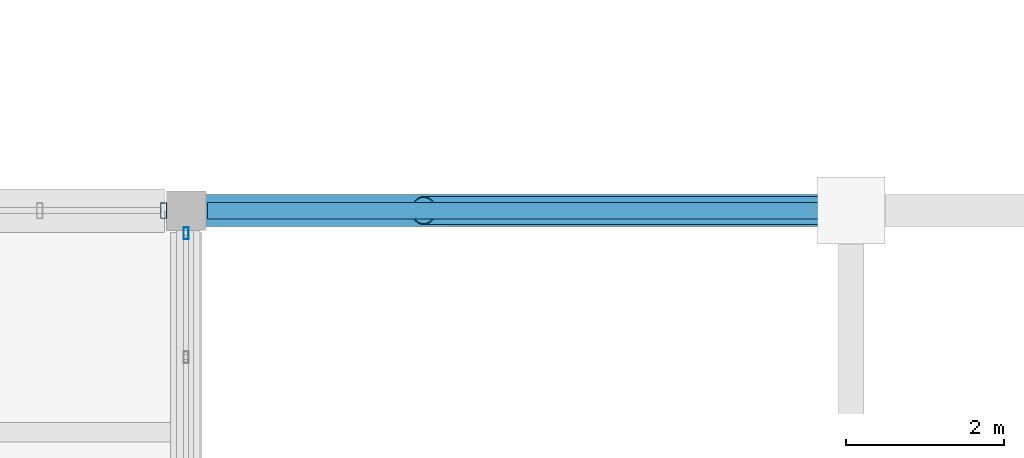
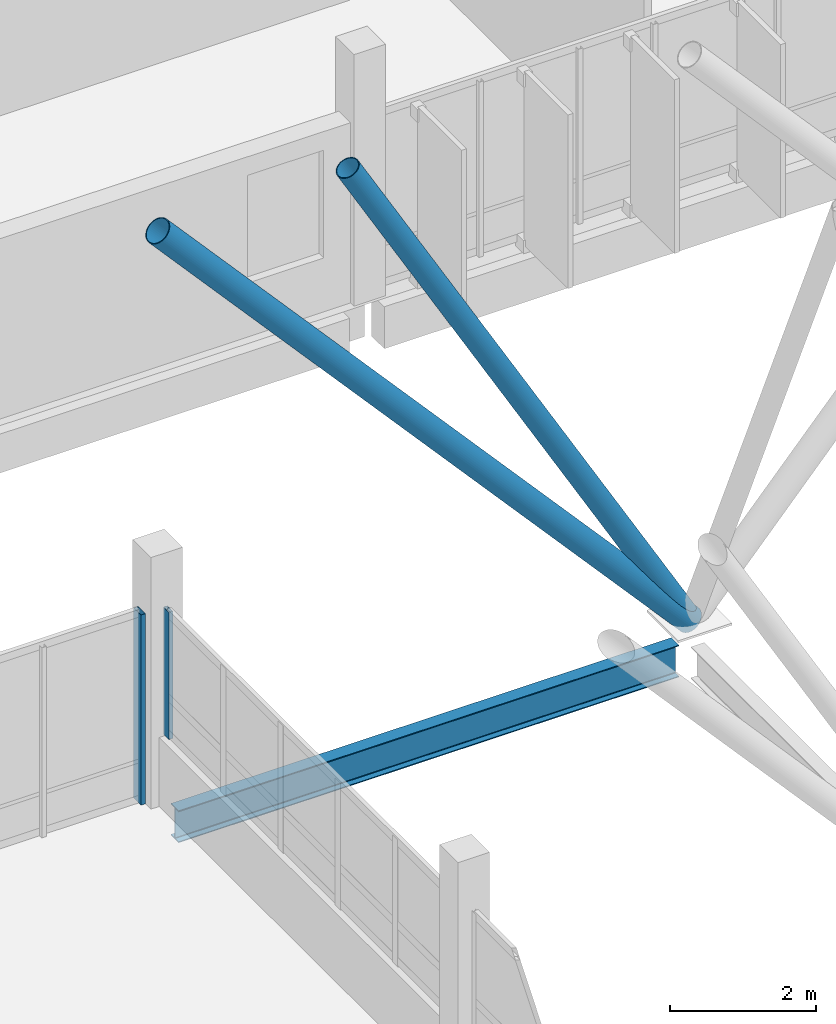
# One storey, part 44 of 107: 4 members, 1 beam, 2 elements without a shape of their own.
"""IFC4 building model written with IfcOpenShell, lengths in metres."""

from ifc_helpers import new_model, si_unit, direction, frame, origin, origin_2d, place, context, subcontext, project, spatial, hollow_rectangle, hollow_circle, i_section, extrude, material, layer, layer_set, material_profile, profile_set, type_object, element, aggregate, save


model = new_model("IFC4")

# Units and contexts
model_context = context("Model", 3, precision=1e-05, world=origin(), true_north=direction((0.0, 1.0)))
body_context = subcontext(model_context, "Body", "Model", "MODEL_VIEW")
ifc_project = project(units=[si_unit("LENGTHUNIT", "METRE"), si_unit("AREAUNIT", "SQUARE_METRE"), si_unit("VOLUMEUNIT", "CUBIC_METRE"), si_unit("PLANEANGLEUNIT", "RADIAN"), si_unit("MASSUNIT", "GRAM", prefix="KILO")], contexts=[model_context])

# Site, building, storey
site_placement = place(None, origin())
site = spatial("IfcSite", under=ifc_project, at=site_placement, CompositionType="ELEMENT")
building_placement = place(site_placement, origin())
building = spatial("IfcBuilding", under=site, at=building_placement, Name="Vireocrest Preparatory School", CompositionType="ELEMENT")
storey_placement = place(building_placement, frame((0.0, 0.0, 13.199951171875)))
storey = spatial("IfcBuildingStorey", under=building, at=storey_placement, Name="L03", CompositionType="ELEMENT", Elevation=13.199951171875)

# Curtain wall, member
ifc_material_1 = material(Name="Thermally broken aluminium EN AW-6063-T6", Category="aluminium")
ifc_layer_1 = layer(ifc_material_1, 0.179931640625)
ifc_layer_set_1 = layer_set([ifc_layer_1], Name="Thermally broken aluminium EN AW-6063-T6")
curtain_wall_type_1 = type_object("IfcCurtainWallType", Name="Court Banded Curtain Wall 8400x3000", PredefinedType="USERDEFINED", material=ifc_layer_set_1)
curtain_wall_1_placement = place(storey_placement, origin())
curtain_wall_1 = element("IfcCurtainWall", 1, at=curtain_wall_1_placement, inside=storey, type_object=curtain_wall_type_1, Name="Curtain Wall CW02 CW_L03_CW02_0672_0776_144", ObjectType="CURTAIN WALL", PredefinedType="USERDEFINED")
ifc_material_profile_1 = material_profile(ifc_material_1, hollow_rectangle(XDim=0.06494140625, YDim=0.14990234375, WallThickness=0.00390625, at=origin_2d()), Name="ALU 65x150x4")
ifc_profile_set_1 = profile_set([ifc_material_profile_1], Name="Thermally broken aluminium EN AW-6063-T6")
member_type_1 = type_object("IfcMemberType", Name="CW Mullion 65x150x4", PredefinedType="MULLION", material=ifc_profile_set_1)
member_1_placement = place(storey_placement, frame((67.199951171875, 85.514892578125, 1.150146484375), z_axis=(0.0, 0.0, 1.0), x_axis=(1.0, 0.0, 0.0)))
member_1 = element("IfcMember", 2, at=member_1_placement, type_object=member_type_1, Name="CW Mullion ML1 CW_L03_CW02_0672_0776_144-6", PredefinedType="MULLION", context=body_context, shape_type="SweptSolid", body=[
    extrude(hollow_rectangle(XDim=0.06494140625, YDim=0.14990234375, WallThickness=0.00390625, at=origin_2d()), origin(), (0.0, 0.0, 1.0), 2.125),
])
aggregate(curtain_wall_1, [member_1])

ifc_layer_2 = layer(ifc_material_1, 0.179931640625)
ifc_layer_set_2 = layer_set([ifc_layer_2], Name="Thermally broken aluminium EN AW-6063-T6")
curtain_wall_type_2 = type_object("IfcCurtainWallType", Name="Library Reading Bay Glazing 7600x4200", PredefinedType="USERDEFINED", material=ifc_layer_set_2)
curtain_wall_2_placement = place(storey_placement, origin())
curtain_wall_2 = element("IfcCurtainWall", 3, at=curtain_wall_2_placement, inside=storey, type_object=curtain_wall_type_2, Name="Curtain Wall CW16 CW_L03_CW16_0590_0858_132", ObjectType="CURTAIN WALL", PredefinedType="USERDEFINED")
ifc_material_profile_2 = material_profile(ifc_material_1, hollow_rectangle(XDim=0.074951171875, YDim=0.199951171875, WallThickness=0.0048828125, at=origin_2d()), Name="ALU 75x200x5")
ifc_profile_set_2 = profile_set([ifc_material_profile_2], Name="Thermally broken aluminium EN AW-6063-T6")
member_type_2 = type_object("IfcMemberType", Name="CW Mullion 75x200x5", PredefinedType="MULLION", material=ifc_profile_set_2)
member_2_placement = place(storey_placement, frame((66.9150390625, 85.800048828125, 0.0), z_axis=(0.0, 0.0, 1.0), x_axis=(1.0, 0.0, 0.0)))
member_2 = element("IfcMember", 4, at=member_2_placement, type_object=member_type_2, Name="CW Mullion ML3 CW_L03_CW16_0590_0858_132-6", PredefinedType="MULLION", context=body_context, shape_type="SweptSolid", body=[
    extrude(hollow_rectangle(XDim=0.074951171875, YDim=0.199951171875, WallThickness=0.0048828125, at=origin_2d()), origin(), (0.0, 0.0, 1.0), 3.175048828125),
])
aggregate(curtain_wall_2, [member_2])

# Beam
ifc_material_2 = material(Name="Structural steel ASTM A992 Grade 50", Category="steel")
ifc_material_profile_3 = material_profile(ifc_material_2, i_section(OverallWidth=0.208984375, OverallDepth=0.532958984375, WebThickness=0.01025390625, FlangeThickness=0.015625, FilletRadius=0.014892578125, at=origin_2d()), Name="W21X62")
ifc_profile_set_3 = profile_set([ifc_material_profile_3], Name="Structural steel ASTM A992 Grade 50")
beam_type = type_object("IfcBeamType", Name="Court Tie Girder W21X62", PredefinedType="BEAM", material=ifc_profile_set_3)
beam_placement = place(storey_placement, frame((67.469970703125, 85.800048828125, -0.56640625), z_axis=(1.0, 0.0, 0.0), x_axis=(0.0, 1.0, 0.0)))
element("IfcBeam", 5, at=beam_placement, inside=storey, type_object=beam_type, Name="Court Trunk Lateral Tie Girder SB5 W8 L03", PredefinedType="BEAM", context=body_context, shape_type="SweptSolid", body=[
    extrude(i_section(OverallWidth=0.208984375, OverallDepth=0.532958984375, WebThickness=0.01025390625, FlangeThickness=0.015625, FilletRadius=0.014892578125, at=origin_2d()), origin(), (0.0, 0.0, 1.0), 7.906494140625),
])

# Members
ifc_material_3 = material(Name="Painted white steel ASTM A500 Grade C", Category="steel")
ifc_material_profile_4 = material_profile(ifc_material_3, hollow_circle(Radius=0.177734375, WallThickness=0.0126953125, at=origin_2d()), Name="HSS14.000X0.500")
ifc_profile_set_4 = profile_set([ifc_material_profile_4], Name="Painted white steel ASTM A500 Grade C")
member_type_3 = type_object("IfcMemberType", Name="White Steel Canopy V-Strut HSS14.000X0.500", PredefinedType="USERDEFINED", material=ifc_profile_set_4)
member_3_placement = place(storey_placement, frame((75.60009765625, 85.800048828125, -0.010009765625), z_axis=(-0.496934732374, 0.0, 0.867787918653), x_axis=(0.0, -1.0, 0.0)))
element("IfcMember", 6, at=member_3_placement, inside=storey, type_object=member_type_3, Name="White Steel V-Strut VS1 W8", ObjectType="STRUT", PredefinedType="USERDEFINED", context=body_context, shape_type="SweptSolid", body=[
    extrude(hollow_circle(Radius=0.177734375, WallThickness=0.0126953125, at=origin_2d()), origin(), (0.0, 0.0, 1.0), 10.866943359375),
])
ifc_material_profile_5 = material_profile(ifc_material_3, hollow_circle(Radius=0.203125, WallThickness=0.0126953125, at=origin_2d()), Name="HSS16.000X0.500")
ifc_profile_set_5 = profile_set([ifc_material_profile_5], Name="Painted white steel ASTM A500 Grade C")
member_type_4 = type_object("IfcMemberType", Name="White Steel V-Column Branch HSS16.000X0.500", PredefinedType="USERDEFINED", material=ifc_profile_set_5)
member_4_placement = place(storey_placement, frame((75.60009765625, 85.800048828125, -0.010009765625), z_axis=(-0.665149409377, 0.0, 0.746710294027), x_axis=(0.0, -1.0, 0.0)))
element("IfcMember", 7, at=member_4_placement, inside=storey, type_object=member_type_4, Name="White Steel V-Column Branch VC3 W8-A1", ObjectType="STRUT", PredefinedType="USERDEFINED", context=body_context, shape_type="SweptSolid", body=[
    extrude(hollow_circle(Radius=0.203125, WallThickness=0.0126953125, at=origin_2d()), origin(), (0.0, 0.0, 1.0), 12.62890625),
])

save(model, "model.ifc")
